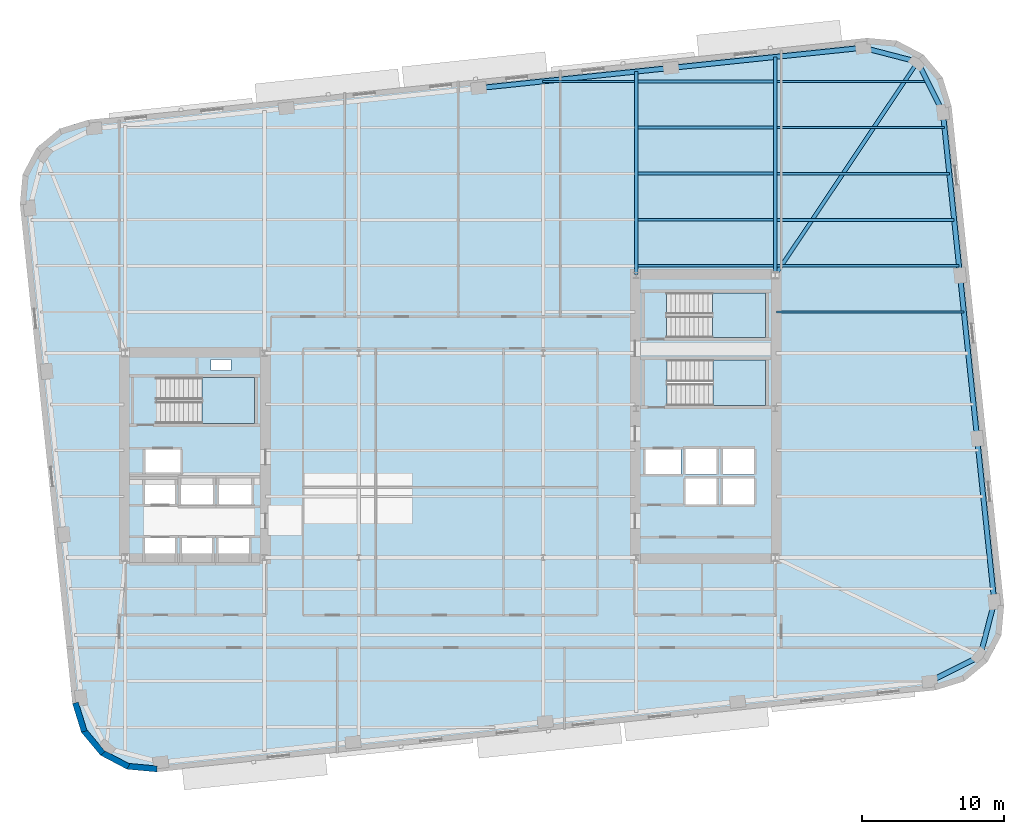
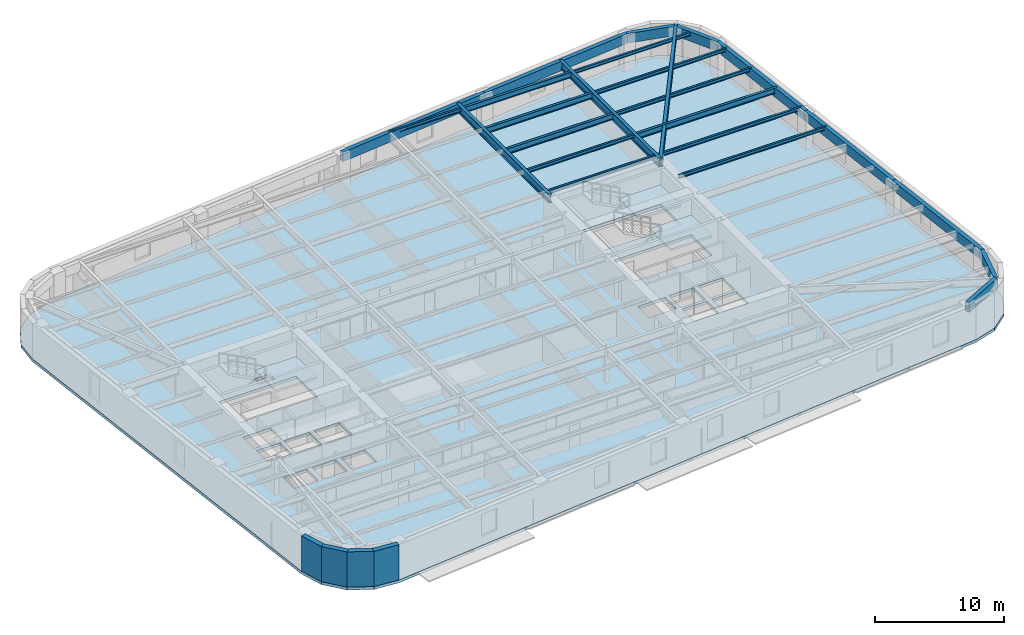
# One storey, part 3 of 12: 24 beams, 4 slabs, 4 walls, 3 elements without a shape of their own.
"""IFC4 building model written with IfcOpenShell, lengths in metres."""

from ifc_helpers import new_model, si_unit, direction, frame, frame_2d, origin, origin_2d, place, context, subcontext, project, spatial, polyline, rectangle, hollow_rectangle, i_section, outline, extrude, material, layer, layer_set, material_profile, profile_set, type_object, element, aggregate, save


model = new_model("IFC4")

# Units and contexts
model_context = context("Model", 3, precision=1e-05, world=origin(), true_north=direction((0.0, 1.0)))
body_context = subcontext(model_context, "Body", "Model", "MODEL_VIEW")
ifc_project = project(units=[si_unit("LENGTHUNIT", "METRE"), si_unit("AREAUNIT", "SQUARE_METRE"), si_unit("VOLUMEUNIT", "CUBIC_METRE"), si_unit("PLANEANGLEUNIT", "RADIAN"), si_unit("MASSUNIT", "GRAM", prefix="KILO")], contexts=[model_context])

# Site, building, storey
site_placement = place(None, origin())
site = spatial("IfcSite", under=ifc_project, at=site_placement, CompositionType="ELEMENT")
building_placement = place(site_placement, origin())
building = spatial("IfcBuilding", under=site, at=building_placement, Name="Kolvaren Arena Tower", CompositionType="ELEMENT")
storey_placement = place(building_placement, frame((0.0, 0.0, 149.5)))
storey = spatial("IfcBuildingStorey", under=building, at=storey_placement, Name="L35", CompositionType="ELEMENT", Elevation=149.5)

# Beams
ifc_material_1 = material(Name="Steel CSA G40.21 350W", Category="steel")
ifc_material_profile_1 = material_profile(ifc_material_1, i_section(OverallWidth=0.2119140625, OverallDepth=0.54296875, WebThickness=0.01318359375, FlangeThickness=0.0244140625, FilletRadius=0.013916015625, at=origin_2d()), Name="W530x150")
ifc_profile_set_1 = profile_set([ifc_material_profile_1], Name="Steel CSA G40.21 350W")
beam_type_1 = type_object("IfcBeamType", Name="BEAM-F1", PredefinedType="BEAM", material=ifc_profile_set_1)
beam_1_placement = place(storey_placement, frame((60.485107421875, 43.25, 3.05859375), z_axis=(1.0, 0.0, 0.0), x_axis=(0.0, 1.0, 0.0)))
element("IfcBeam", 1, at=beam_1_placement, inside=storey, type_object=beam_type_1, Name="Composite Floor Beam (L35)", PredefinedType="BEAM", context=body_context, shape_type="SweptSolid", body=[
    extrude(i_section(OverallWidth=0.2119140625, OverallDepth=0.54296875, WebThickness=0.01318359375, FlangeThickness=0.0244140625, FilletRadius=0.013916015625, at=origin_2d()), origin(), (0.0, 0.0, 1.0), 12.471435546875),
])
for number, where, z_axis, x_axis, name in (
    (2, (50.68505859375, 46.5, 3.05859375), (1.0, 0.0, 0.0), (0.0, 1.0, 0.0), "Composite Floor Beam (L35)"),
    (3, (50.68505859375, 49.75, 3.05859375), (1.0, 0.0, 0.0), (0.0, 1.0, 0.0), "Composite Floor Beam (L35)"),
    (4, (50.68505859375, 53.0, 3.05859375), (1.0, 0.0, 0.0), (0.0, 1.0, 0.0), "Composite Floor Beam (L35)"),
):
    element("IfcBeam", number, at=place(storey_placement, frame(where, z_axis=z_axis, x_axis=x_axis)), inside=storey, type_object=beam_type_1, Name=name, PredefinedType="BEAM", context=body_context, shape_type="SweptSolid", body=[
        extrude(i_section(OverallWidth=0.2119140625, OverallDepth=0.54296875, WebThickness=0.01318359375, FlangeThickness=0.0244140625, FilletRadius=0.013916015625, at=origin_2d()), origin(), (0.0, 0.0, 1.0), 9.530029296875),
    ])
ifc_material_profile_2 = material_profile(ifc_material_1, i_section(OverallWidth=0.27001953125, OverallDepth=0.77294921875, WebThickness=0.019287109375, FlangeThickness=0.033447265625, FilletRadius=0.01806640625, at=origin_2d()), Name="W760x257")
ifc_profile_set_2 = profile_set([ifc_material_profile_2], Name="Steel CSA G40.21 350W")
beam_type_2 = type_object("IfcBeamType", Name="GIRD-T1", PredefinedType="BEAM", material=ifc_profile_set_2)
beam_2_placement = place(storey_placement, frame((70.387939453125, 54.37939453125, 2.943603515625), z_axis=(-0.555401401293, -0.831582397266, 0.0), x_axis=(0.831582397266, -0.555401401293, 0.0)))
element("IfcBeam", 5, at=beam_2_placement, inside=storey, type_object=beam_type_2, Name="Corner Diagonal Tie Girder (L35)", PredefinedType="BEAM", context=body_context, shape_type="SweptSolid", body=[
    extrude(i_section(OverallWidth=0.27001953125, OverallDepth=0.77294921875, WebThickness=0.019287109375, FlangeThickness=0.033447265625, FilletRadius=0.01806640625, at=origin_2d()), origin(), (0.0, 0.0, 1.0), 18.0732421875),
])
beam_3_placement = place(storey_placement, frame((50.550048828125, 39.405029296875, 2.943603515625), z_axis=(0.0, 1.0, 0.0), x_axis=(-1.0, 0.0, 0.0)))
element("IfcBeam", 6, at=beam_3_placement, inside=storey, type_object=beam_type_2, Name="Primary Floor Girder (L35)", PredefinedType="BEAM", context=body_context, shape_type="SweptSolid", body=[
    extrude(i_section(OverallWidth=0.27001953125, OverallDepth=0.77294921875, WebThickness=0.019287109375, FlangeThickness=0.033447265625, FilletRadius=0.01806640625, at=origin_2d()), origin(), (0.0, 0.0, 1.0), 14.288330078125),
])
beam_4_placement = place(storey_placement, frame((60.35009765625, 39.405029296875, 2.943603515625), z_axis=(0.0, 1.0, 0.0), x_axis=(-1.0, 0.0, 0.0)))
element("IfcBeam", 7, at=beam_4_placement, inside=storey, type_object=beam_type_2, Name="Primary Floor Girder (L35)", PredefinedType="BEAM", context=body_context, shape_type="SweptSolid", body=[
    extrude(i_section(OverallWidth=0.27001953125, OverallDepth=0.77294921875, WebThickness=0.019287109375, FlangeThickness=0.033447265625, FilletRadius=0.01806640625, at=origin_2d()), origin(), (0.0, 0.0, 1.0), 15.318359375),
])
ifc_material_profile_3 = material_profile(ifc_material_1, i_section(OverallWidth=0.1669921875, OverallDepth=0.31689453125, WebThickness=0.007568359375, FlangeThickness=0.01318359375, FilletRadius=0.010009765625, at=origin_2d()), Name="W310x52")
ifc_profile_set_3 = profile_set([ifc_material_profile_3], Name="Steel CSA G40.21 350W")
beam_type_3 = type_object("IfcBeamType", Name="JOIST-02", PredefinedType="JOIST", material=ifc_profile_set_3)
beam_5_placement = place(storey_placement, frame((60.445068359375, 36.75, 3.17138671875), z_axis=(1.0, 0.0, 0.0), x_axis=(0.0, 1.0, 0.0)))
element("IfcBeam", 8, at=beam_5_placement, inside=storey, type_object=beam_type_3, Name="Composite Floor Joist (L35)", PredefinedType="JOIST", context=body_context, shape_type="SweptSolid", body=[
    extrude(i_section(OverallWidth=0.1669921875, OverallDepth=0.31689453125, WebThickness=0.007568359375, FlangeThickness=0.01318359375, FilletRadius=0.010009765625, at=origin_2d()), origin(), (0.0, 0.0, 1.0), 13.19482421875),
])
beam_6_placement = place(storey_placement, frame((50.68505859375, 40.0, 3.17138671875), z_axis=(1.0, 0.0, 0.0), x_axis=(0.0, 1.0, 0.0)))
element("IfcBeam", 9, at=beam_6_placement, inside=storey, type_object=beam_type_3, Name="Composite Floor Joist (L35)", PredefinedType="JOIST", context=body_context, shape_type="SweptSolid", body=[
    extrude(i_section(OverallWidth=0.1669921875, OverallDepth=0.31689453125, WebThickness=0.007568359375, FlangeThickness=0.01318359375, FilletRadius=0.010009765625, at=origin_2d()), origin(), (0.0, 0.0, 1.0), 9.530029296875),
])
beam_7_placement = place(storey_placement, frame((60.485107421875, 40.0, 3.17138671875), z_axis=(1.0, 0.0, 0.0), x_axis=(0.0, 1.0, 0.0)))
element("IfcBeam", 10, at=beam_7_placement, inside=storey, type_object=beam_type_3, Name="Composite Floor Joist (L35)", PredefinedType="JOIST", context=body_context, shape_type="SweptSolid", body=[
    extrude(i_section(OverallWidth=0.1669921875, OverallDepth=0.31689453125, WebThickness=0.007568359375, FlangeThickness=0.01318359375, FilletRadius=0.010009765625, at=origin_2d()), origin(), (0.0, 0.0, 1.0), 12.81298828125),
])
beam_8_placement = place(storey_placement, frame((50.68505859375, 43.25, 3.17138671875), z_axis=(1.0, 0.0, 0.0), x_axis=(0.0, 1.0, 0.0)))
element("IfcBeam", 11, at=beam_8_placement, inside=storey, type_object=beam_type_3, Name="Composite Floor Joist (L35)", PredefinedType="JOIST", context=body_context, shape_type="SweptSolid", body=[
    extrude(i_section(OverallWidth=0.1669921875, OverallDepth=0.31689453125, WebThickness=0.007568359375, FlangeThickness=0.01318359375, FilletRadius=0.010009765625, at=origin_2d()), origin(), (0.0, 0.0, 1.0), 9.530029296875),
])
beam_9_placement = place(storey_placement, frame((60.485107421875, 46.5, 3.17138671875), z_axis=(1.0, 0.0, 0.0), x_axis=(0.0, 1.0, 0.0)))
element("IfcBeam", 12, at=beam_9_placement, inside=storey, type_object=beam_type_3, Name="Composite Floor Joist (L35)", PredefinedType="JOIST", context=body_context, shape_type="SweptSolid", body=[
    extrude(i_section(OverallWidth=0.1669921875, OverallDepth=0.31689453125, WebThickness=0.007568359375, FlangeThickness=0.01318359375, FilletRadius=0.010009765625, at=origin_2d()), origin(), (0.0, 0.0, 1.0), 12.1298828125),
])
beam_10_placement = place(storey_placement, frame((60.485107421875, 49.75, 3.17138671875), z_axis=(1.0, 0.0, 0.0), x_axis=(0.0, 1.0, 0.0)))
element("IfcBeam", 13, at=beam_10_placement, inside=storey, type_object=beam_type_3, Name="Composite Floor Joist (L35)", PredefinedType="JOIST", context=body_context, shape_type="SweptSolid", body=[
    extrude(i_section(OverallWidth=0.1669921875, OverallDepth=0.31689453125, WebThickness=0.007568359375, FlangeThickness=0.01318359375, FilletRadius=0.010009765625, at=origin_2d()), origin(), (0.0, 0.0, 1.0), 11.788330078125),
])
beam_11_placement = place(storey_placement, frame((43.95361328125, 53.0, 3.17138671875), z_axis=(1.0, 0.0, 0.0), x_axis=(0.0, 1.0, 0.0)))
element("IfcBeam", 14, at=beam_11_placement, inside=storey, type_object=beam_type_3, Name="Composite Floor Joist (L35)", PredefinedType="JOIST", context=body_context, shape_type="SweptSolid", body=[
    extrude(i_section(OverallWidth=0.1669921875, OverallDepth=0.31689453125, WebThickness=0.007568359375, FlangeThickness=0.01318359375, FilletRadius=0.010009765625, at=origin_2d()), origin(), (0.0, 0.0, 1.0), 6.46142578125),
])
beam_12_placement = place(storey_placement, frame((60.485107421875, 53.0, 3.17138671875), z_axis=(1.0, 0.0, 0.0), x_axis=(0.0, 1.0, 0.0)))
element("IfcBeam", 15, at=beam_12_placement, inside=storey, type_object=beam_type_3, Name="Composite Floor Joist (L35)", PredefinedType="JOIST", context=body_context, shape_type="SweptSolid", body=[
    extrude(i_section(OverallWidth=0.1669921875, OverallDepth=0.31689453125, WebThickness=0.007568359375, FlangeThickness=0.01318359375, FilletRadius=0.010009765625, at=origin_2d()), origin(), (0.0, 0.0, 1.0), 10.592529296875),
])
ifc_material_2 = material(Name="Steel CSA G40.21 350WT", Category="steel")
ifc_material_profile_4 = material_profile(ifc_material_2, hollow_rectangle(XDim=0.35009765625, YDim=0.89990234375, WallThickness=0.02001953125, at=origin_2d()), Name="HSS 900x350x20")
ifc_profile_set_4 = profile_set([ifc_material_profile_4], Name="Steel CSA G40.21 350WT")
beam_type_4 = type_object("IfcBeamType", Name="SPAND-01", PredefinedType="SPANDREL", material=ifc_profile_set_4)
for number, where, z_axis, x_axis, name in (
    (16, (71.247314453125, 10.721435546875, 2.8798828125), (0.894451843771, 0.44716428656, 0.0), (-0.44716428656, 0.894451843771, 0.0), "Perimeter Spandrel Beam (L35)"),
    (17, (74.790283203125, 12.49267578125, 2.8798828125), (0.251473350892, 0.967864222808, 0.0), (-0.967864222808, 0.251473350892, 0.0), "Perimeter Spandrel Beam (L35)"),
):
    element("IfcBeam", number, at=place(storey_placement, frame(where, z_axis=z_axis, x_axis=x_axis)), inside=storey, type_object=beam_type_4, Name=name, PredefinedType="SPANDREL", context=body_context, shape_type="SweptSolid", body=[
        extrude(hollow_rectangle(XDim=0.35009765625, YDim=0.89990234375, WallThickness=0.02001953125, at=origin_2d()), origin(), (0.0, 0.0, 1.0), 3.9609375),
    ])
beam_13_placement = place(storey_placement, frame((75.786376953125, 16.326416015625, 2.8798828125), z_axis=(-0.104522171998, 0.994522556587, 0.0), x_axis=(-0.994522556587, -0.104522171998, 0.0)))
element("IfcBeam", 18, at=beam_13_placement, inside=storey, type_object=beam_type_4, Name="Perimeter Spandrel Beam (L35)", PredefinedType="SPANDREL", context=body_context, shape_type="SweptSolid", body=[
    extrude(hollow_rectangle(XDim=0.35009765625, YDim=0.89990234375, WallThickness=0.02001953125, at=origin_2d()), origin(), (0.0, 0.0, 1.0), 11.56689453125),
])
beam_14_placement = place(storey_placement, frame((74.577392578125, 27.829833984375, 2.8798828125), z_axis=(-0.104524366116, 0.994522325988, 0.0), x_axis=(-0.994522325988, -0.104524366116, 0.0)))
element("IfcBeam", 19, at=beam_14_placement, inside=storey, type_object=beam_type_4, Name="Perimeter Spandrel Beam (L35)", PredefinedType="SPANDREL", context=body_context, shape_type="SweptSolid", body=[
    extrude(hollow_rectangle(XDim=0.35009765625, YDim=0.89990234375, WallThickness=0.02001953125, at=origin_2d()), origin(), (0.0, 0.0, 1.0), 11.566650390625),
])
beam_15_placement = place(storey_placement, frame((73.368408203125, 39.3330078125, 2.8798828125), z_axis=(-0.104543048399, 0.994520362301, 0.0), x_axis=(-0.994520362301, -0.104543048399, 0.0)))
element("IfcBeam", 20, at=beam_15_placement, inside=storey, type_object=beam_type_4, Name="Perimeter Spandrel Beam (L35)", PredefinedType="SPANDREL", context=body_context, shape_type="SweptSolid", body=[
    extrude(hollow_rectangle(XDim=0.35009765625, YDim=0.89990234375, WallThickness=0.02001953125, at=origin_2d()), origin(), (0.0, 0.0, 1.0), 11.56689453125),
])
for number, where, z_axis, x_axis, name in (
    (21, (72.1591796875, 50.83642578125, 2.8798828125), (-0.44716428656, 0.894451843771, 0.0), (-0.894451843771, -0.44716428656, 0.0), "Perimeter Spandrel Beam (L35)"),
    (22, (70.387939453125, 54.37939453125, 2.8798828125), (-0.967864222808, 0.251473350892, 0.0), (-0.251473350892, -0.967864222808, 0.0), "Perimeter Spandrel Beam (L35)"),
):
    element("IfcBeam", number, at=place(storey_placement, frame(where, z_axis=z_axis, x_axis=x_axis)), inside=storey, type_object=beam_type_4, Name=name, PredefinedType="SPANDREL", context=body_context, shape_type="SweptSolid", body=[
        extrude(hollow_rectangle(XDim=0.35009765625, YDim=0.89990234375, WallThickness=0.02001953125, at=origin_2d()), origin(), (0.0, 0.0, 1.0), 3.9609375),
    ])
beam_16_placement = place(storey_placement, frame((66.55419921875, 55.37548828125, 2.8798828125), z_axis=(-0.994521150946, -0.104535545729, 0.0), x_axis=(0.104535545729, -0.994521150946, 0.0)))
element("IfcBeam", 23, at=beam_16_placement, inside=storey, type_object=beam_type_4, Name="Perimeter Spandrel Beam (L35)", PredefinedType="SPANDREL", context=body_context, shape_type="SweptSolid", body=[
    extrude(hollow_rectangle(XDim=0.35009765625, YDim=0.89990234375, WallThickness=0.02001953125, at=origin_2d()), origin(), (0.0, 0.0, 1.0), 13.625244140625),
])
beam_17_placement = place(storey_placement, frame((53.003662109375, 53.951171875, 2.8798828125), z_axis=(-0.994522817887, -0.104519685718, 0.0), x_axis=(0.104519685718, -0.994522817887, 0.0)))
element("IfcBeam", 24, at=beam_17_placement, inside=storey, type_object=beam_type_4, Name="Perimeter Spandrel Beam (L35)", PredefinedType="SPANDREL", context=body_context, shape_type="SweptSolid", body=[
    extrude(hollow_rectangle(XDim=0.35009765625, YDim=0.89990234375, WallThickness=0.02001953125, at=origin_2d()), origin(), (0.0, 0.0, 1.0), 13.625),
])

# Stair, slab
ifc_material_3 = material(Name="Concrete 45 MPa", Category="concrete")
stair_type_1 = type_object("IfcStairType", Name="STAIR-CORE-165", PredefinedType="HALF_TURN_STAIR", material=ifc_material_3)
stair_1_placement = place(storey_placement, origin())
stair_1 = element("IfcStair", 25, at=stair_1_placement, inside=storey, type_object=stair_type_1, Name="L35 ST-W1", PredefinedType="HALF_TURN_STAIR")
ifc_layer_1 = layer(ifc_material_3, 0.199951171875)
ifc_layer_set_1 = layer_set([ifc_layer_1], Name="Concrete 45 MPa")
slab_type_1 = type_object("IfcSlabType", Name="SLAB-LAND", PredefinedType="LANDING", material=ifc_layer_set_1)
slab_1_placement = place(storey_placement, frame((0.0, 0.0, 1.675048828125)))
slab_1 = element("IfcSlab", 26, at=slab_1_placement, type_object=slab_type_1, Name="ST-W1 landing 1", PredefinedType="LANDING", context=body_context, shape_type="SweptSolid", body=[
    extrude(outline(polyline([(19.9599609375, 28.89990234375), (23.659912109375, 28.89990234375), (23.659912109375, 32.1298828125), (19.9599609375, 32.1298828125), (19.9599609375, 28.89990234375)])), origin(), (0.0, 0.0, 1.0), 0.199951171875),
])
aggregate(stair_1, [slab_1])

stair_2_placement = place(storey_placement, origin())
stair_2 = element("IfcStair", 27, at=stair_2_placement, inside=storey, type_object=stair_type_1, Name="L35 ST-E1", PredefinedType="HALF_TURN_STAIR")
slab_2_placement = place(storey_placement, frame((0.0, 0.0, 1.675048828125)))
slab_2 = element("IfcSlab", 28, at=slab_2_placement, type_object=slab_type_1, Name="ST-E1 landing 1", PredefinedType="LANDING", context=body_context, shape_type="SweptSolid", body=[
    extrude(outline(polyline([(55.9599609375, 30.14990234375), (59.659912109375, 30.14990234375), (59.659912109375, 33.3798828125), (55.9599609375, 33.3798828125), (55.9599609375, 30.14990234375)])), origin(), (0.0, 0.0, 1.0), 0.199951171875),
])
aggregate(stair_2, [slab_2])

stair_type_2 = type_object("IfcStairType", Name="STAIR-CORE-150", PredefinedType="HALF_TURN_STAIR", material=ifc_material_3)
stair_3_placement = place(storey_placement, origin())
stair_3 = element("IfcStair", 29, at=stair_3_placement, inside=storey, type_object=stair_type_2, Name="L35 ST-E2", PredefinedType="HALF_TURN_STAIR")
slab_3_placement = place(storey_placement, frame((0.0, 0.0, 1.675048828125)))
slab_3 = element("IfcSlab", 30, at=slab_3_placement, type_object=slab_type_1, Name="ST-E2 landing 1", PredefinedType="LANDING", context=body_context, shape_type="SweptSolid", body=[
    extrude(outline(polyline([(55.919921875, 34.949951171875), (59.659912109375, 34.949951171875), (59.659912109375, 38.10009765625), (55.919921875, 38.10009765625), (55.919921875, 34.949951171875)])), origin(), (0.0, 0.0, 1.0), 0.199951171875),
])
aggregate(stair_3, [slab_3])

# Slab
ifc_layer_2 = layer(ifc_material_3, 0.27001953125)
ifc_layer_set_2 = layer_set([ifc_layer_2], Name="Concrete 45 MPa")
slab_type_2 = type_object("IfcSlabType", Name="SLAB-OFF2", PredefinedType="FLOOR", material=ifc_layer_set_2)
slab_4_placement = place(storey_placement, frame((0.0, 0.0, -0.27001953125)))
element("IfcSlab", 31, at=slab_4_placement, inside=storey, type_object=slab_type_2, Name="L35 Primary Structural Slab", PredefinedType="FLOOR", context=body_context, shape_type="SweptSolid", body=[
    extrude(outline(polyline([(71.663330078125, 10.111572265625), (73.675537109375, 10.736328125), (75.29541015625, 12.08349609375), (76.276611328125, 13.9482421875), (76.469482421875, 16.04638671875), (72.76904296875, 51.25244140625), (72.144287109375, 53.2646484375), (70.797119140625, 54.884521484375), (68.932373046875, 55.865478515625), (66.834228515625, 56.058349609375), (11.9365234375, 50.28857421875), (9.92431640625, 49.663818359375), (8.304443359375, 48.31640625), (7.323486328125, 46.45166015625), (7.130615234375, 44.353515625), (10.830810546875, 9.1474609375), (11.455810546875, 7.13525390625), (12.802978515625, 5.515380859375), (14.667724609375, 4.534423828125), (16.765869140625, 4.341552734375), (71.663330078125, 10.111572265625)]), holes=[polyline([(15.93505859375, 19.0849609375), (15.93505859375, 20.81494140625), (18.06494140625, 20.81494140625), (18.06494140625, 19.0849609375), (15.93505859375, 19.0849609375)]), polyline([(18.534912109375, 19.0849609375), (18.534912109375, 20.81494140625), (20.6650390625, 20.81494140625), (20.6650390625, 19.0849609375), (18.534912109375, 19.0849609375)]), polyline([(21.135009765625, 19.0849609375), (21.135009765625, 20.81494140625), (23.264892578125, 20.81494140625), (23.264892578125, 19.0849609375), (21.135009765625, 19.0849609375)]), polyline([(18.4599609375, 23.135009765625), (18.4599609375, 25.06494140625), (20.739990234375, 25.06494140625), (20.739990234375, 23.135009765625), (18.4599609375, 23.135009765625)]), polyline([(21.159912109375, 23.135009765625), (21.159912109375, 25.06494140625), (23.43994140625, 25.06494140625), (23.43994140625, 23.135009765625), (21.159912109375, 23.135009765625)]), polyline([(54.030029296875, 23.18505859375), (54.030029296875, 25.014892578125), (56.2099609375, 25.014892578125), (56.2099609375, 23.18505859375), (54.030029296875, 23.18505859375)]), polyline([(56.669921875, 23.18505859375), (56.669921875, 25.014892578125), (58.85009765625, 25.014892578125), (58.85009765625, 23.18505859375), (56.669921875, 23.18505859375)]), polyline([(15.93505859375, 23.235107421875), (15.93505859375, 24.965087890625), (18.06494140625, 24.965087890625), (18.06494140625, 23.235107421875), (15.93505859375, 23.235107421875)]), polyline([(54.030029296875, 25.284912109375), (54.030029296875, 27.114990234375), (56.2099609375, 27.114990234375), (56.2099609375, 25.284912109375), (54.030029296875, 25.284912109375)]), polyline([(56.669921875, 25.284912109375), (56.669921875, 27.114990234375), (58.85009765625, 27.114990234375), (58.85009765625, 25.284912109375), (56.669921875, 25.284912109375)]), polyline([(15.9599609375, 25.3349609375), (15.9599609375, 27.06494140625), (18.43994140625, 27.06494140625), (18.43994140625, 25.3349609375), (15.9599609375, 25.3349609375)]), polyline([(51.219970703125, 25.3349609375), (51.219970703125, 27.06494140625), (53.699951171875, 27.06494140625), (53.699951171875, 25.3349609375), (51.219970703125, 25.3349609375)]), polyline([(16.735107421875, 28.89990234375), (16.735107421875, 32.1298828125), (23.659912109375, 32.1298828125), (23.659912109375, 28.89990234375), (16.735107421875, 28.89990234375)]), polyline([(52.735107421875, 30.14990234375), (52.735107421875, 33.3798828125), (59.659912109375, 33.3798828125), (59.659912109375, 30.14990234375), (52.735107421875, 30.14990234375)]), polyline([(20.60009765625, 32.6201171875), (20.60009765625, 33.39990234375), (22.0, 33.39990234375), (22.0, 32.6201171875), (20.60009765625, 32.6201171875)]), polyline([(52.695068359375, 34.949951171875), (52.695068359375, 38.10009765625), (59.659912109375, 38.10009765625), (59.659912109375, 34.949951171875), (52.695068359375, 34.949951171875)])]), origin(), (0.0, 0.0, 1.0), 0.27001953125),
])

# Walls
ifc_material_4 = material(Name="Precast concrete C50/60", Category="concrete")
ifc_layer_3 = layer(ifc_material_4, 0.419921875)
ifc_layer_set_3 = layer_set([ifc_layer_3], Name="Precast concrete C50/60")
wall_type = type_object("IfcWallType", Name="EXT-PIER1", PredefinedType="SOLIDWALL", material=ifc_layer_set_3)
for number, where, z_axis, x_axis, name in (
    (32, (11.65625, 7.197509765625, 0.0), (0.0, 0.0, 1.0), (-0.296519484366, 0.955026803494, 0.0), "Exterior Precast Masonry-Frame Wall (L35)"),
    (33, (12.964599609375, 5.649658203125, 0.0), (0.0, 0.0, 1.0), (-0.639488914921, 0.768800317178, 0.0), "Exterior Precast Masonry-Frame Wall (L35)"),
    (34, (14.765380859375, 4.72021484375, 0.0), (0.0, 0.0, 1.0), (-0.884940843444, 0.465703450282, 0.0), "Exterior Precast Masonry-Frame Wall (L35)"),
):
    element("IfcWall", number, at=place(storey_placement, frame(where, z_axis=z_axis, x_axis=x_axis)), inside=storey, type_object=wall_type, Name=name, PredefinedType="SOLIDWALL", context=body_context, shape_type="SweptSolid", body=[
        extrude(rectangle(XDim=2.10693359375, YDim=0.419921875, at=frame_2d((1.053466796875, 0.0))), origin(), (0.0, 0.0, 1.0), 3.330078125),
    ])
wall_placement = place(storey_placement, frame((16.784912109375, 4.55078125, 0.0), z_axis=(0.0, 0.0, 1.0), x_axis=(-0.995811110714, 0.091434303078, 0.0)))
element("IfcWall", 35, at=wall_placement, inside=storey, type_object=wall_type, Name="Exterior Precast Masonry-Frame Wall (L35)", PredefinedType="SOLIDWALL", context=body_context, shape_type="SweptSolid", body=[
    extrude(rectangle(XDim=2.106689453125, YDim=0.419921875, at=frame_2d((1.05322265625, 0.0))), origin(), (0.0, 0.0, 1.0), 3.330078125),
])

save(model, "model.ifc")
